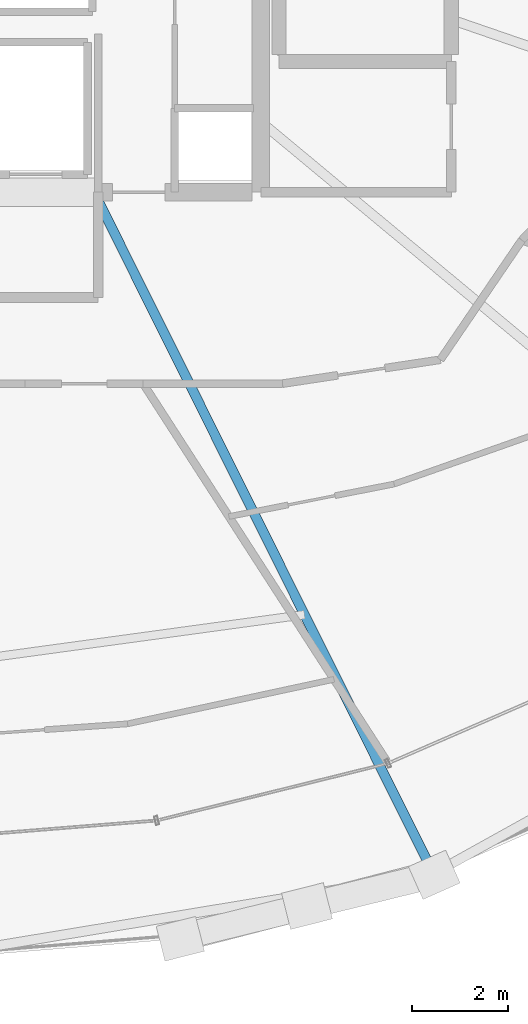
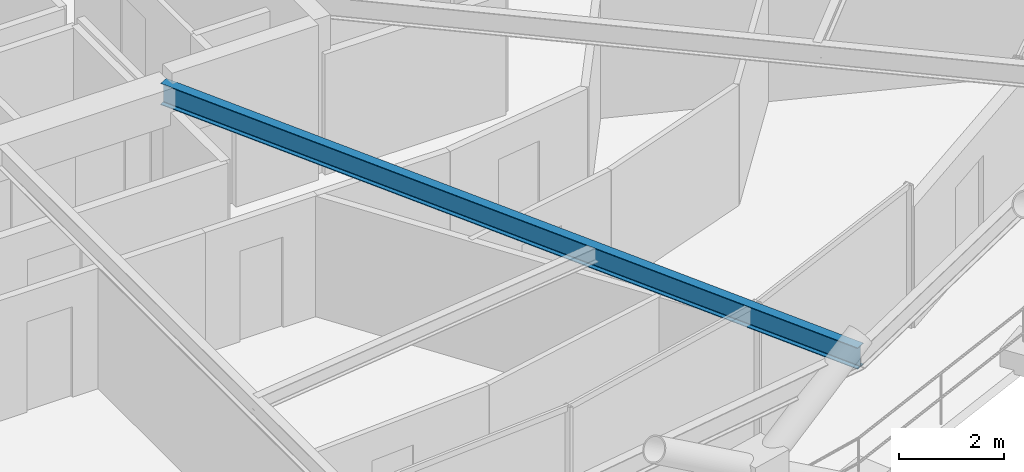
# One storey, part 6 of 20: 1 beam.
"""IFC4 building model written with IfcOpenShell, lengths in metres."""

from ifc_helpers import new_model, si_unit, direction, frame, origin, origin_2d, place, context, subcontext, project, spatial, i_section, extrude, material, material_profile, profile_set, type_object, element, save


model = new_model("IFC4")

# Units and contexts
model_context = context("Model", 3, precision=1e-05, world=origin(), true_north=direction((0.0, 1.0)))
body_context = subcontext(model_context, "Body", "Model", "MODEL_VIEW")
ifc_project = project(units=[si_unit("LENGTHUNIT", "METRE"), si_unit("AREAUNIT", "SQUARE_METRE"), si_unit("VOLUMEUNIT", "CUBIC_METRE"), si_unit("PLANEANGLEUNIT", "RADIAN"), si_unit("MASSUNIT", "GRAM", prefix="KILO")], contexts=[model_context])

# Site, building, storey
site_placement = place(None, origin())
site = spatial("IfcSite", under=ifc_project, at=site_placement, CompositionType="ELEMENT")
building_placement = place(site_placement, origin())
building = spatial("IfcBuilding", under=site, at=building_placement, Name="Veldorina Hangang Commons", CompositionType="ELEMENT")
storey_placement = place(building_placement, frame((0.0, 0.0, 153.199951171875)))
storey = spatial("IfcBuildingStorey", under=building, at=storey_placement, Name="L39", CompositionType="ELEMENT", Elevation=153.199951171875)

# Beam
ifc_material = material(Name="Steel SM420-TMC", Category="steel")
ifc_material_profile = material_profile(ifc_material, i_section(OverallWidth=0.199951171875, OverallDepth=0.5, WebThickness=0.010009765625, FlangeThickness=0.01611328125, FilletRadius=0.01611328125, at=origin_2d()), Name="H-500x200x10x16")
ifc_profile_set = profile_set([ifc_material_profile], Name="Steel SM420-TMC")
beam_type = type_object("IfcBeamType", Name="BM-FG500", PredefinedType="BEAM", material=ifc_profile_set)
beam_placement = place(storey_placement, frame((35.71337890625, 16.550048828125, 3.10009765625), z_axis=(0.446095589368, -0.89498532119, 0.0), x_axis=(0.89498532119, 0.446095589368, 0.0)))
element("IfcBeam", 1, at=beam_placement, inside=storey, type_object=beam_type, Name="L39 radial floor girder 14", PredefinedType="BEAM", context=body_context, shape_type="SweptSolid", body=[
    extrude(i_section(OverallWidth=0.199951171875, OverallDepth=0.5, WebThickness=0.010009765625, FlangeThickness=0.01611328125, FilletRadius=0.01611328125, at=origin_2d()), origin(), (0.0, 0.0, 1.0), 15.90234375),
])

save(model, "model.ifc")
